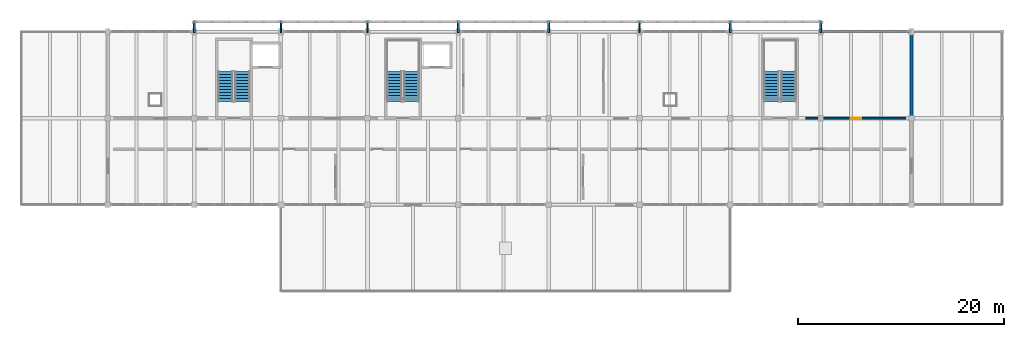
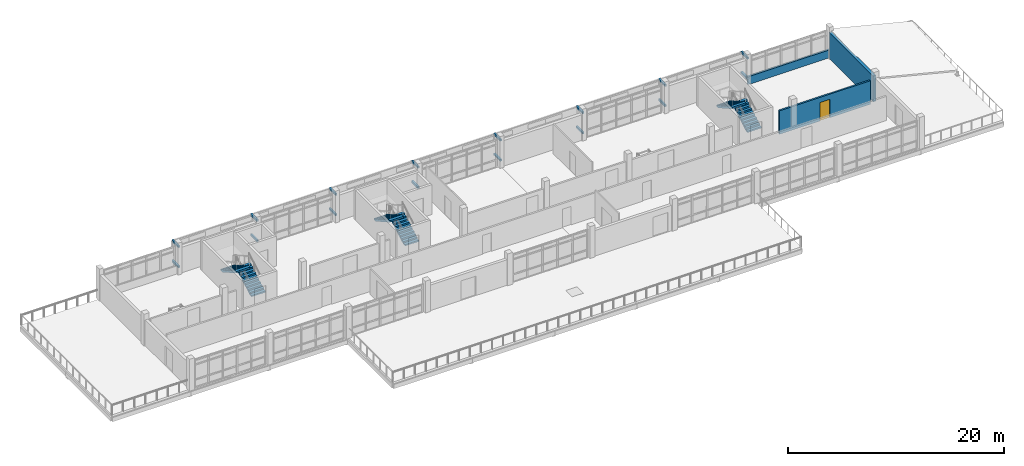
# One storey, part 25 of 30: 16 discrete accessories, 6 stair flights, 3 walls, 1 door, 1 opening, 3 elements without a shape of their own.
"""IFC4 building model written with IfcOpenShell, lengths in metres."""

from ifc_helpers import new_model, si_unit, direction, frame, frame_2d, origin, origin_2d, place, context, subcontext, project, spatial, polyline, rectangle, outline, extrude, material, layer, layer_set, type_object, element, fill, aggregate, save


model = new_model("IFC4")

# Units and contexts
model_context = context("Model", 3, precision=1e-05, world=origin(), true_north=direction((0.0, 1.0)))
body_context = subcontext(model_context, "Body", "Model", "MODEL_VIEW")
ifc_project = project(units=[si_unit("LENGTHUNIT", "METRE"), si_unit("AREAUNIT", "SQUARE_METRE"), si_unit("VOLUMEUNIT", "CUBIC_METRE"), si_unit("PLANEANGLEUNIT", "RADIAN"), si_unit("MASSUNIT", "GRAM", prefix="KILO")], contexts=[model_context])

# Site, building, storey
site_placement = place(None, origin())
site = spatial("IfcSite", under=ifc_project, at=site_placement, CompositionType="ELEMENT")
building_placement = place(site_placement, origin())
building = spatial("IfcBuilding", under=site, at=building_placement, Name="Cinderway Yard Community Centre", CompositionType="ELEMENT")
storey_placement = place(building_placement, frame((0.0, 0.0, 16.5)))
storey = spatial("IfcBuildingStorey", under=building, at=storey_placement, Name="L04", CompositionType="ELEMENT", Elevation=16.5)

# Walls
ifc_material_1 = material(Name="Brick Masonry", Category="masonry")
ifc_layer_1 = layer(ifc_material_1, 0.300048828125, Name="Brick Masonry")
ifc_layer_set_1 = layer_set([ifc_layer_1], Name="Brick Masonry")
wall_type_1 = type_object("IfcWallType", Name="ENV-WAL-EXT300", PredefinedType="SOLIDWALL", material=ifc_layer_set_1)
wall_1_placement = place(storey_placement, frame((128.0, 106.89990234375, 0.0), z_axis=(0.0, 0.0, 1.0), x_axis=(0.0, 1.0, 0.0)))
element("IfcWall", 1, at=wall_1_placement, inside=storey, type_object=wall_type_1, Name="V4 East End Wall ENV-WAL-L04-0187", PredefinedType="SOLIDWALL", context=body_context, shape_type="SweptSolid", body=[
    extrude(rectangle(XDim=8.2001953125, YDim=0.300048828125, at=frame_2d((4.10009765625, 0.0))), origin(), (0.0, 0.0, 1.0), 2.9150390625),
])
ifc_material_2 = material(Name="Concrete C35/45", Category="concrete")
ifc_layer_2 = layer(ifc_material_2, 0.199951171875, Name="Concrete C35/45")
ifc_layer_set_2 = layer_set([ifc_layer_2], Name="Concrete C35/45")
wall_type_2 = type_object("IfcWallType", Name="ENV-WAL-PAR200", PredefinedType="PARAPET", material=ifc_layer_set_2)
wall_2_placement = place(storey_placement, frame((119.199951171875, 115.199951171875, 0.0), z_axis=(0.0, 0.0, 1.0), x_axis=(1.0, 0.0, 0.0)))
element("IfcWall", 2, at=wall_2_placement, inside=storey, type_object=wall_type_2, Name="Roof parapet upstand ENV-WAL-L04-0248", PredefinedType="PARAPET", context=body_context, shape_type="SweptSolid", body=[
    extrude(rectangle(XDim=8.800048828125, YDim=0.199951171875, at=frame_2d((4.39990234375, 0.0))), origin(), (0.0, 0.0, 1.0), 0.89990234375),
])

# Wall, opening, door
ifc_layer_3 = layer(ifc_material_1, 0.179931640625, Name="Brick Masonry")
ifc_layer_set_3 = layer_set([ifc_layer_3], Name="Brick Masonry")
wall_type_3 = type_object("IfcWallType", Name="INT-WAL-PRT180", PredefinedType="PARTITIONING", material=ifc_layer_set_3)
wall_3_placement = place(storey_placement, frame((117.75, 106.800048828125, 0.0), z_axis=(0.0, 0.0, 1.0), x_axis=(1.0, 0.0, 0.0)))
wall_3 = element("IfcWall", 3, at=wall_3_placement, inside=storey, type_object=wall_type_3, Name="V4 L04 North Corridor Spine INT-PRT-L04-0330", PredefinedType="PARTITIONING", context=body_context, shape_type="SweptSolid", body=[
    extrude(rectangle(XDim=9.699951171875, YDim=0.179931640625, at=frame_2d((4.85009765625, 0.0))), origin(), (0.0, 0.0, 1.0), 2.6650390625),
])
opening_placement = place(wall_3_placement, frame((4.330078125, 0.0, 0.0)))
opening = element("IfcOpeningElement", 4, at=opening_placement, cuts=wall_3, Name="Opening D-17", PredefinedType="OPENING", context=body_context, shape_type="SweptSolid", body=[
    extrude(rectangle(XDim=1.0400390625, YDim=2.080078125, at=frame_2d((0.52001953125, 1.0400390625))), frame((0.0, 0.099853515625, 0.0), z_axis=(0.0, -1.0, 0.0), x_axis=(1.0, 0.0, 0.0)), (0.0, 0.0, 1.0), 0.199951171875),
])
ifc_material_3 = material(Name="Hardwood Timber", Category="wood")
door_type = type_object("IfcDoorType", Name="INT-DOR-NUR104", OperationType="NOTDEFINED", PredefinedType="DOOR", material=ifc_material_3)
door_placement = place(opening_placement, origin())
door = element("IfcDoor", 5, at=door_placement, inside=storey, type_object=door_type, Name="Room door INT-DOR-L04-0264", OperationType="SINGLE_SWING_RIGHT", OverallHeight=2.080078125, OverallWidth=1.0400390625, PredefinedType="DOOR", context=body_context, shape_type="SweptSolid", body=[
    extrude(rectangle(XDim=1.0400390625, YDim=2.080078125, at=frame_2d((0.52001953125, 1.0400390625))), frame((0.0, 0.02490234375, 0.0), z_axis=(0.0, -1.0, 0.0), x_axis=(1.0, 0.0, 0.0)), (0.0, 0.0, 1.0), 0.050048828125),
])
fill(opening, door)

# Stair, stair flights
ifc_material_4 = material(Name="Concrete C40/50", Category="concrete")
stair_type = type_object("IfcStairType", Name="INT-STR-360A", PredefinedType="HALF_TURN_STAIR", material=ifc_material_4)
stair_1_placement = place(storey_placement, origin())
stair_1 = element("IfcStair", 6, at=stair_1_placement, inside=storey, type_object=stair_type, Name="L04 Core C1 Exit Stair ST-01", PredefinedType="HALF_TURN_STAIR")
stair_flight_type = type_object("IfcStairFlightType", Name="INT-FLT-360A", PredefinedType="STRAIGHT", material=ifc_material_4)
stair_flight_1_placement = place(storey_placement, frame((63.06005859375, 108.429931640625, 0.0), z_axis=(0.0, 0.0, 1.0), x_axis=(0.0, 1.0, 0.0)))
stair_flight_1 = element("IfcStairFlight", 7, at=stair_flight_1_placement, type_object=stair_flight_type, Name="ST-01 flight 1", NumberOfRisers=11, NumberOfTreads=10, PredefinedType="STRAIGHT", RiserHeight=0.163636364, TreadLength=0.29, context=body_context, shape_type="SweptSolid", body=[
    extrude(outline(polyline([(0.0, 0.0), (0.0, 0.16357421875), (0.2900390625, 0.16357421875), (0.2900390625, 0.327392578125), (0.580078125, 0.327392578125), (0.580078125, 0.490966796875), (0.8701171875, 0.490966796875), (0.8701171875, 0.654541015625), (1.159912109375, 0.654541015625), (1.159912109375, 0.818115234375), (1.449951171875, 0.818115234375), (1.449951171875, 0.98193359375), (1.739990234375, 0.98193359375), (1.739990234375, 1.1455078125), (2.030029296875, 1.1455078125), (2.030029296875, 1.30908203125), (2.320068359375, 1.30908203125), (2.320068359375, 1.47265625), (2.610107421875, 1.47265625), (2.610107421875, 1.636474609375), (2.89990234375, 1.636474609375), (2.89990234375, 1.800048828125), (2.89990234375, 1.45263671875), (0.325439453125, 0.0), (0.0, 0.0)])), frame((0.0, 0.739990234375, 0.0), z_axis=(0.0, -1.0, 0.0), x_axis=(1.0, 0.0, 0.0)), (0.0, 0.0, 1.0), 1.47998046875),
])
stair_flight_2_placement = place(storey_placement, frame((61.419921875, 111.330078125, 1.800048828125), z_axis=(0.0, 0.0, 1.0), x_axis=(0.0, -1.0, 0.0)))
stair_flight_2 = element("IfcStairFlight", 8, at=stair_flight_2_placement, type_object=stair_flight_type, Name="ST-01 flight 2", NumberOfRisers=11, NumberOfTreads=10, PredefinedType="STRAIGHT", RiserHeight=0.163636364, TreadLength=0.29, context=body_context, shape_type="SweptSolid", body=[
    extrude(outline(polyline([(0.0, 0.0), (0.0, 0.16357421875), (0.2900390625, 0.16357421875), (0.2900390625, 0.327392578125), (0.580078125, 0.327392578125), (0.580078125, 0.490966796875), (0.8701171875, 0.490966796875), (0.8701171875, 0.654541015625), (1.159912109375, 0.654541015625), (1.159912109375, 0.818115234375), (1.449951171875, 0.818115234375), (1.449951171875, 0.98193359375), (1.739990234375, 0.98193359375), (1.739990234375, 1.1455078125), (2.030029296875, 1.1455078125), (2.030029296875, 1.30908203125), (2.320068359375, 1.30908203125), (2.320068359375, 1.47265625), (2.610107421875, 1.47265625), (2.610107421875, 1.636474609375), (2.89990234375, 1.636474609375), (2.89990234375, 1.800048828125), (2.89990234375, 1.45263671875), (0.325439453125, 0.0), (0.0, 0.0)])), frame((0.0, 0.739990234375, 0.0), z_axis=(0.0, -1.0, 0.0), x_axis=(1.0, 0.0, 0.0)), (0.0, 0.0, 1.0), 1.47998046875),
])
aggregate(stair_1, [stair_flight_1, stair_flight_2])

stair_2_placement = place(storey_placement, origin())
stair_2 = element("IfcStair", 9, at=stair_2_placement, inside=storey, type_object=stair_type, Name="L04 Core C2A Exit Stair ST-02", PredefinedType="HALF_TURN_STAIR")
stair_flight_3_placement = place(storey_placement, frame((79.4599609375, 108.429931640625, 0.0), z_axis=(0.0, 0.0, 1.0), x_axis=(0.0, 1.0, 0.0)))
stair_flight_3 = element("IfcStairFlight", 10, at=stair_flight_3_placement, type_object=stair_flight_type, Name="ST-02 flight 1", NumberOfRisers=11, NumberOfTreads=10, PredefinedType="STRAIGHT", RiserHeight=0.163636364, TreadLength=0.29, context=body_context, shape_type="SweptSolid", body=[
    extrude(outline(polyline([(0.0, 0.0), (0.0, 0.16357421875), (0.2900390625, 0.16357421875), (0.2900390625, 0.327392578125), (0.580078125, 0.327392578125), (0.580078125, 0.490966796875), (0.8701171875, 0.490966796875), (0.8701171875, 0.654541015625), (1.159912109375, 0.654541015625), (1.159912109375, 0.818115234375), (1.449951171875, 0.818115234375), (1.449951171875, 0.98193359375), (1.739990234375, 0.98193359375), (1.739990234375, 1.1455078125), (2.030029296875, 1.1455078125), (2.030029296875, 1.30908203125), (2.320068359375, 1.30908203125), (2.320068359375, 1.47265625), (2.610107421875, 1.47265625), (2.610107421875, 1.636474609375), (2.89990234375, 1.636474609375), (2.89990234375, 1.800048828125), (2.89990234375, 1.45263671875), (0.325439453125, 0.0), (0.0, 0.0)])), frame((0.0, 0.739990234375, 0.0), z_axis=(0.0, -1.0, 0.0), x_axis=(1.0, 0.0, 0.0)), (0.0, 0.0, 1.0), 1.47998046875),
])
stair_flight_4_placement = place(storey_placement, frame((77.820068359375, 111.330078125, 1.800048828125), z_axis=(0.0, 0.0, 1.0), x_axis=(0.0, -1.0, 0.0)))
stair_flight_4 = element("IfcStairFlight", 11, at=stair_flight_4_placement, type_object=stair_flight_type, Name="ST-02 flight 2", NumberOfRisers=11, NumberOfTreads=10, PredefinedType="STRAIGHT", RiserHeight=0.163636364, TreadLength=0.29, context=body_context, shape_type="SweptSolid", body=[
    extrude(outline(polyline([(0.0, 0.0), (0.0, 0.16357421875), (0.2900390625, 0.16357421875), (0.2900390625, 0.327392578125), (0.580078125, 0.327392578125), (0.580078125, 0.490966796875), (0.8701171875, 0.490966796875), (0.8701171875, 0.654541015625), (1.159912109375, 0.654541015625), (1.159912109375, 0.818115234375), (1.449951171875, 0.818115234375), (1.449951171875, 0.98193359375), (1.739990234375, 0.98193359375), (1.739990234375, 1.1455078125), (2.030029296875, 1.1455078125), (2.030029296875, 1.30908203125), (2.320068359375, 1.30908203125), (2.320068359375, 1.47265625), (2.610107421875, 1.47265625), (2.610107421875, 1.636474609375), (2.89990234375, 1.636474609375), (2.89990234375, 1.800048828125), (2.89990234375, 1.45263671875), (0.325439453125, 0.0), (0.0, 0.0)])), frame((0.0, 0.739990234375, 0.0), z_axis=(0.0, -1.0, 0.0), x_axis=(1.0, 0.0, 0.0)), (0.0, 0.0, 1.0), 1.47998046875),
])
aggregate(stair_2, [stair_flight_3, stair_flight_4])

stair_3_placement = place(storey_placement, origin())
stair_3 = element("IfcStair", 12, at=stair_3_placement, inside=storey, type_object=stair_type, Name="L04 Core C2B Exit Stair ST-03", PredefinedType="HALF_TURN_STAIR")
stair_flight_5_placement = place(storey_placement, frame((116.06005859375, 108.429931640625, 0.0), z_axis=(0.0, 0.0, 1.0), x_axis=(0.0, 1.0, 0.0)))
stair_flight_5 = element("IfcStairFlight", 13, at=stair_flight_5_placement, type_object=stair_flight_type, Name="ST-03 flight 1", NumberOfRisers=11, NumberOfTreads=10, PredefinedType="STRAIGHT", RiserHeight=0.163636364, TreadLength=0.29, context=body_context, shape_type="SweptSolid", body=[
    extrude(outline(polyline([(0.0, 0.0), (0.0, 0.16357421875), (0.2900390625, 0.16357421875), (0.2900390625, 0.327392578125), (0.580078125, 0.327392578125), (0.580078125, 0.490966796875), (0.8701171875, 0.490966796875), (0.8701171875, 0.654541015625), (1.159912109375, 0.654541015625), (1.159912109375, 0.818115234375), (1.449951171875, 0.818115234375), (1.449951171875, 0.98193359375), (1.739990234375, 0.98193359375), (1.739990234375, 1.1455078125), (2.030029296875, 1.1455078125), (2.030029296875, 1.30908203125), (2.320068359375, 1.30908203125), (2.320068359375, 1.47265625), (2.610107421875, 1.47265625), (2.610107421875, 1.636474609375), (2.89990234375, 1.636474609375), (2.89990234375, 1.800048828125), (2.89990234375, 1.45263671875), (0.325439453125, 0.0), (0.0, 0.0)])), frame((0.0, 0.739990234375, 0.0), z_axis=(0.0, -1.0, 0.0), x_axis=(1.0, 0.0, 0.0)), (0.0, 0.0, 1.0), 1.47998046875),
])
stair_flight_6_placement = place(storey_placement, frame((114.419921875, 111.330078125, 1.800048828125), z_axis=(0.0, 0.0, 1.0), x_axis=(0.0, -1.0, 0.0)))
stair_flight_6 = element("IfcStairFlight", 14, at=stair_flight_6_placement, type_object=stair_flight_type, Name="ST-03 flight 2", NumberOfRisers=11, NumberOfTreads=10, PredefinedType="STRAIGHT", RiserHeight=0.163636364, TreadLength=0.29, context=body_context, shape_type="SweptSolid", body=[
    extrude(outline(polyline([(0.0, 0.0), (0.0, 0.16357421875), (0.2900390625, 0.16357421875), (0.2900390625, 0.327392578125), (0.580078125, 0.327392578125), (0.580078125, 0.490966796875), (0.8701171875, 0.490966796875), (0.8701171875, 0.654541015625), (1.159912109375, 0.654541015625), (1.159912109375, 0.818115234375), (1.449951171875, 0.818115234375), (1.449951171875, 0.98193359375), (1.739990234375, 0.98193359375), (1.739990234375, 1.1455078125), (2.030029296875, 1.1455078125), (2.030029296875, 1.30908203125), (2.320068359375, 1.30908203125), (2.320068359375, 1.47265625), (2.610107421875, 1.47265625), (2.610107421875, 1.636474609375), (2.89990234375, 1.636474609375), (2.89990234375, 1.800048828125), (2.89990234375, 1.45263671875), (0.325439453125, 0.0), (0.0, 0.0)])), frame((0.0, 0.739990234375, 0.0), z_axis=(0.0, -1.0, 0.0), x_axis=(1.0, 0.0, 0.0)), (0.0, 0.0, 1.0), 1.47998046875),
])
aggregate(stair_3, [stair_flight_5, stair_flight_6])

# Discrete accessories
ifc_material_5 = material(Name="Steel S355", Category="steel")
discrete_accessory_type = type_object("IfcDiscreteAccessoryType", Name="ENV-ACC-BRACKET", PredefinedType="BRACKET", material=ifc_material_5)
for number, where, z_axis, x_axis, name in (
    (15, (58.39990234375, 115.675048828125, 0.6201171875), (0.0, 0.0, 1.0), (0.0, 1.0, 0.0), "Screen outrigger bracket 0143"),
    (16, (58.39990234375, 115.675048828125, 2.91015625), (0.0, 0.0, 1.0), (0.0, 1.0, 0.0), "Screen outrigger bracket 0144"),
    (17, (66.800048828125, 115.675048828125, 0.6201171875), (0.0, 0.0, 1.0), (0.0, 1.0, 0.0), "Screen outrigger bracket 0147"),
    (18, (66.800048828125, 115.675048828125, 2.91015625), (0.0, 0.0, 1.0), (0.0, 1.0, 0.0), "Screen outrigger bracket 0148"),
    (19, (75.199951171875, 115.675048828125, 0.6201171875), (0.0, 0.0, 1.0), (0.0, 1.0, 0.0), "Screen outrigger bracket 0151"),
    (20, (75.199951171875, 115.675048828125, 2.91015625), (0.0, 0.0, 1.0), (0.0, 1.0, 0.0), "Screen outrigger bracket 0152"),
    (21, (84.0, 115.675048828125, 0.6201171875), (0.0, 0.0, 1.0), (0.0, 1.0, 0.0), "Screen outrigger bracket 0155"),
    (22, (84.0, 115.675048828125, 2.91015625), (0.0, 0.0, 1.0), (0.0, 1.0, 0.0), "Screen outrigger bracket 0156"),
    (23, (92.800048828125, 115.675048828125, 0.6201171875), (0.0, 0.0, 1.0), (0.0, 1.0, 0.0), "Screen outrigger bracket 0159"),
    (24, (92.800048828125, 115.675048828125, 2.91015625), (0.0, 0.0, 1.0), (0.0, 1.0, 0.0), "Screen outrigger bracket 0160"),
    (25, (101.60009765625, 115.675048828125, 0.6201171875), (0.0, 0.0, 1.0), (0.0, 1.0, 0.0), "Screen outrigger bracket 0163"),
    (26, (101.60009765625, 115.675048828125, 2.91015625), (0.0, 0.0, 1.0), (0.0, 1.0, 0.0), "Screen outrigger bracket 0164"),
    (27, (110.39990234375, 115.675048828125, 0.6201171875), (0.0, 0.0, 1.0), (0.0, 1.0, 0.0), "Screen outrigger bracket 0167"),
    (28, (110.39990234375, 115.675048828125, 2.91015625), (0.0, 0.0, 1.0), (0.0, 1.0, 0.0), "Screen outrigger bracket 0168"),
    (29, (119.199951171875, 115.675048828125, 0.6201171875), (0.0, 0.0, 1.0), (0.0, 1.0, 0.0), "Screen outrigger bracket 0171"),
    (30, (119.199951171875, 115.675048828125, 2.91015625), (0.0, 0.0, 1.0), (0.0, 1.0, 0.0), "Screen outrigger bracket 0172"),
):
    element("IfcDiscreteAccessory", number, at=place(storey_placement, frame(where, z_axis=z_axis, x_axis=x_axis)), inside=storey, type_object=discrete_accessory_type, Name=name, PredefinedType="BRACKET", context=body_context, shape_type="SweptSolid", body=[
        extrude(rectangle(XDim=1.18994140625, YDim=0.179931640625, at=origin_2d()), origin(), (0.0, 0.0, 1.0), 0.219970703125),
    ])

save(model, "model.ifc")
